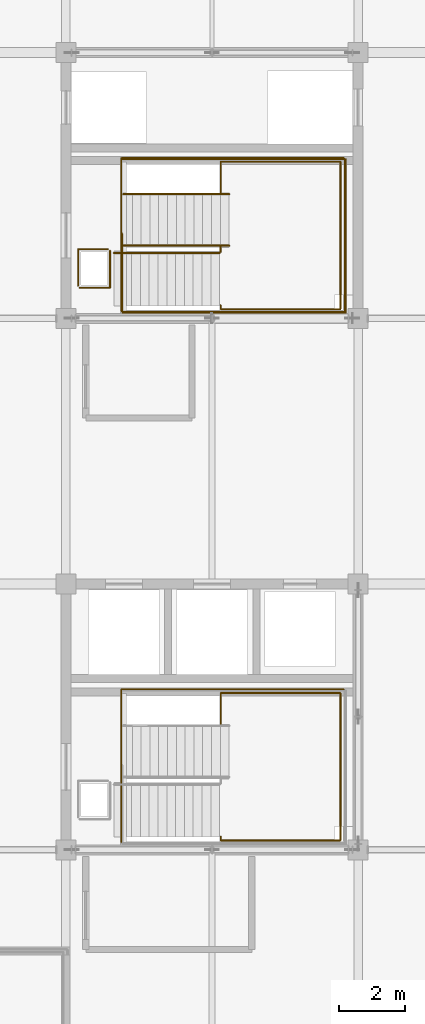
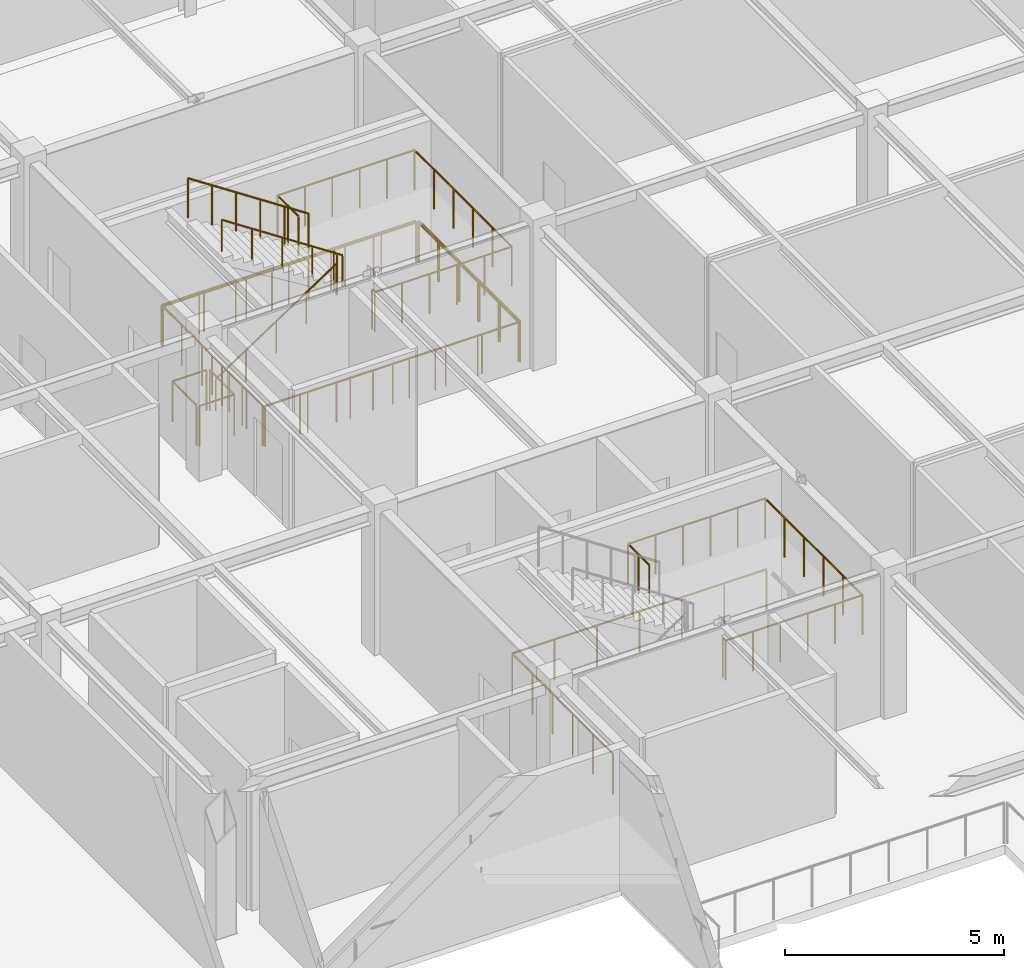
# One storey, part 85 of 88: 12 railings.
"""IFC4 building model written with IfcOpenShell, lengths in metres."""

from ifc_helpers import new_model, si_unit, direction, frame, origin, origin_2d, place, context, subcontext, project, spatial, circle, extrude, material, type_object, element, save


model = new_model("IFC4")

# Units and contexts
model_context = context("Model", 3, precision=1e-05, world=origin(), true_north=direction((0.0, 1.0)))
body_context = subcontext(model_context, "Body", "Model", "MODEL_VIEW")
ifc_project = project(units=[si_unit("LENGTHUNIT", "METRE"), si_unit("AREAUNIT", "SQUARE_METRE"), si_unit("VOLUMEUNIT", "CUBIC_METRE"), si_unit("PLANEANGLEUNIT", "RADIAN"), si_unit("MASSUNIT", "GRAM", prefix="KILO")], contexts=[model_context])

# Site, building, storey
site_placement = place(None, origin())
site = spatial("IfcSite", under=ifc_project, at=site_placement, CompositionType="ELEMENT")
building_placement = place(site_placement, origin())
building = spatial("IfcBuilding", under=site, at=building_placement, Name="Zhaolan Boulevard Law Courts", CompositionType="ELEMENT")
storey_placement = place(building_placement, frame((0.0, 0.0, 16.199951171875)))
storey = spatial("IfcBuildingStorey", under=building, at=storey_placement, Name="L03", CompositionType="ELEMENT", Elevation=16.199951171875)

# Railings
ifc_material_1 = material(Name="Powder-coated steel and tempered laminated glass", Category="steel")
railing_type_1 = type_object("IfcRailingType", Name="INTERIOR GUARDRAIL 1150", PredefinedType="GUARDRAIL", material=ifc_material_1)
railing_1_placement = place(storey_placement, frame((25.969970703125, 50.830078125, 0.0)))
element("IfcRailing", 1, at=railing_1_placement, inside=storey, type_object=railing_type_1, Name="Atrium Gallery Guardrail VG-3-V5-6B", PredefinedType="GUARDRAIL", context=body_context, shape_type="SweptSolid", body=[
    extrude(circle(Radius=0.02490234375, at=origin_2d()), frame((0.0, 0.0, 1.125), z_axis=(-1.0, 0.0, 0.0), x_axis=(0.0, -1.0, 0.0)), (0.0, 0.0, 1.0), 6.699951171875),
    extrude(circle(Radius=0.02490234375, at=origin_2d()), frame((-6.699951171875, 0.0, 1.125), z_axis=(0.0, -1.0, 0.0), x_axis=(1.0, 0.0, 0.0)), (0.0, 0.0, 1.0), 4.60009765625),
    extrude(circle(Radius=0.02099609375, at=origin_2d()), origin(), (0.0, 0.0, 1.0), 1.099853515625),
    extrude(circle(Radius=0.02099609375, at=origin_2d()), frame((-1.11669921875, 0.0, 0.0)), (0.0, 0.0, 1.0), 1.099853515625),
    extrude(circle(Radius=0.02099609375, at=origin_2d()), frame((-2.2333984375, 0.0, 0.0)), (0.0, 0.0, 1.0), 1.099853515625),
    extrude(circle(Radius=0.02099609375, at=origin_2d()), frame((-3.35009765625, 0.0, 0.0)), (0.0, 0.0, 1.0), 1.099853515625),
    extrude(circle(Radius=0.02099609375, at=origin_2d()), frame((-4.466552734375, 0.0, 0.0)), (0.0, 0.0, 1.0), 1.099853515625),
    extrude(circle(Radius=0.02099609375, at=origin_2d()), frame((-5.583251953125, 0.0, 0.0)), (0.0, 0.0, 1.0), 1.099853515625),
    extrude(circle(Radius=0.02099609375, at=origin_2d()), frame((-6.699951171875, 0.0, 0.0)), (0.0, 0.0, 1.0), 1.099853515625),
    extrude(circle(Radius=0.02099609375, at=origin_2d()), frame((-6.699951171875, -0.919921875, 0.0)), (0.0, 0.0, 1.0), 1.099853515625),
    extrude(circle(Radius=0.02099609375, at=origin_2d()), frame((-6.699951171875, -1.840087890625, 0.0)), (0.0, 0.0, 1.0), 1.099853515625),
    extrude(circle(Radius=0.02099609375, at=origin_2d()), frame((-6.699951171875, -2.760009765625, 0.0)), (0.0, 0.0, 1.0), 1.099853515625),
    extrude(circle(Radius=0.02099609375, at=origin_2d()), frame((-6.699951171875, -3.68017578125, 0.0)), (0.0, 0.0, 1.0), 1.099853515625),
    extrude(circle(Radius=0.02099609375, at=origin_2d()), frame((-6.699951171875, -4.60009765625, 0.0)), (0.0, 0.0, 1.0), 1.099853515625),
])
railing_2_placement = place(storey_placement, frame((19.31005859375, 62.169921875, 0.0)))
element("IfcRailing", 2, at=railing_2_placement, inside=storey, type_object=railing_type_1, Name="Atrium Gallery Guardrail VG-3-V5-7A", PredefinedType="GUARDRAIL", context=body_context, shape_type="SweptSolid", body=[
    extrude(circle(Radius=0.02490234375, at=origin_2d()), frame((0.0, 0.0, 1.125), z_axis=(1.0, 0.0, 0.0), x_axis=(0.0, 1.0, 0.0)), (0.0, 0.0, 1.0), 6.719970703125),
    extrude(circle(Radius=0.02490234375, at=origin_2d()), frame((6.719970703125, 0.0, 1.125), z_axis=(0.0, 1.0, 0.0), x_axis=(-1.0, 0.0, 0.0)), (0.0, 0.0, 1.0), 4.6201171875),
    extrude(circle(Radius=0.02099609375, at=origin_2d()), origin(), (0.0, 0.0, 1.0), 1.099853515625),
    extrude(circle(Radius=0.02099609375, at=origin_2d()), frame((1.1201171875, 0.0, 0.0)), (0.0, 0.0, 1.0), 1.099853515625),
    extrude(circle(Radius=0.02099609375, at=origin_2d()), frame((2.239990234375, 0.0, 0.0)), (0.0, 0.0, 1.0), 1.099853515625),
    extrude(circle(Radius=0.02099609375, at=origin_2d()), frame((3.35986328125, 0.0, 0.0)), (0.0, 0.0, 1.0), 1.099853515625),
    extrude(circle(Radius=0.02099609375, at=origin_2d()), frame((4.47998046875, 0.0, 0.0)), (0.0, 0.0, 1.0), 1.099853515625),
    extrude(circle(Radius=0.02099609375, at=origin_2d()), frame((5.60009765625, 0.0, 0.0)), (0.0, 0.0, 1.0), 1.099853515625),
    extrude(circle(Radius=0.02099609375, at=origin_2d()), frame((6.719970703125, 0.0, 0.0)), (0.0, 0.0, 1.0), 1.099853515625),
    extrude(circle(Radius=0.02099609375, at=origin_2d()), frame((6.719970703125, 0.924072265625, 0.0)), (0.0, 0.0, 1.0), 1.099853515625),
    extrude(circle(Radius=0.02099609375, at=origin_2d()), frame((6.719970703125, 1.84814453125, 0.0)), (0.0, 0.0, 1.0), 1.099853515625),
    extrude(circle(Radius=0.02099609375, at=origin_2d()), frame((6.719970703125, 2.77197265625, 0.0)), (0.0, 0.0, 1.0), 1.099853515625),
    extrude(circle(Radius=0.02099609375, at=origin_2d()), frame((6.719970703125, 3.696044921875, 0.0)), (0.0, 0.0, 1.0), 1.099853515625),
    extrude(circle(Radius=0.02099609375, at=origin_2d()), frame((6.719970703125, 4.6201171875, 0.0)), (0.0, 0.0, 1.0), 1.099853515625),
])
railing_3_placement = place(storey_placement, frame((25.969970703125, 66.830078125, 0.0)))
element("IfcRailing", 3, at=railing_3_placement, inside=storey, type_object=railing_type_1, Name="Atrium Gallery Guardrail VG-3-V5-7B", PredefinedType="GUARDRAIL", context=body_context, shape_type="SweptSolid", body=[
    extrude(circle(Radius=0.02490234375, at=origin_2d()), frame((0.0, 0.0, 1.125), z_axis=(-1.0, 0.0, 0.0), x_axis=(0.0, -1.0, 0.0)), (0.0, 0.0, 1.0), 6.699951171875),
    extrude(circle(Radius=0.02490234375, at=origin_2d()), frame((-6.699951171875, 0.0, 1.125), z_axis=(0.0, -1.0, 0.0), x_axis=(1.0, 0.0, 0.0)), (0.0, 0.0, 1.0), 4.60009765625),
    extrude(circle(Radius=0.02099609375, at=origin_2d()), origin(), (0.0, 0.0, 1.0), 1.099853515625),
    extrude(circle(Radius=0.02099609375, at=origin_2d()), frame((-1.11669921875, 0.0, 0.0)), (0.0, 0.0, 1.0), 1.099853515625),
    extrude(circle(Radius=0.02099609375, at=origin_2d()), frame((-2.2333984375, 0.0, 0.0)), (0.0, 0.0, 1.0), 1.099853515625),
    extrude(circle(Radius=0.02099609375, at=origin_2d()), frame((-3.35009765625, 0.0, 0.0)), (0.0, 0.0, 1.0), 1.099853515625),
    extrude(circle(Radius=0.02099609375, at=origin_2d()), frame((-4.466552734375, 0.0, 0.0)), (0.0, 0.0, 1.0), 1.099853515625),
    extrude(circle(Radius=0.02099609375, at=origin_2d()), frame((-5.583251953125, 0.0, 0.0)), (0.0, 0.0, 1.0), 1.099853515625),
    extrude(circle(Radius=0.02099609375, at=origin_2d()), frame((-6.699951171875, 0.0, 0.0)), (0.0, 0.0, 1.0), 1.099853515625),
    extrude(circle(Radius=0.02099609375, at=origin_2d()), frame((-6.699951171875, -0.919921875, 0.0)), (0.0, 0.0, 1.0), 1.099853515625),
    extrude(circle(Radius=0.02099609375, at=origin_2d()), frame((-6.699951171875, -1.840087890625, 0.0)), (0.0, 0.0, 1.0), 1.099853515625),
    extrude(circle(Radius=0.02099609375, at=origin_2d()), frame((-6.699951171875, -2.760009765625, 0.0)), (0.0, 0.0, 1.0), 1.099853515625),
    extrude(circle(Radius=0.02099609375, at=origin_2d()), frame((-6.699951171875, -3.68017578125, 0.0)), (0.0, 0.0, 1.0), 1.099853515625),
    extrude(circle(Radius=0.02099609375, at=origin_2d()), frame((-6.699951171875, -4.60009765625, 0.0)), (0.0, 0.0, 1.0), 1.099853515625),
])
railing_4_placement = place(storey_placement, frame((18.010009765625, 62.919921875, 0.0)))
element("IfcRailing", 4, at=railing_4_placement, inside=storey, type_object=railing_type_1, Name="Atrium Gallery Guardrail VG-3-V5-10A", PredefinedType="GUARDRAIL", context=body_context, shape_type="SweptSolid", body=[
    extrude(circle(Radius=0.02490234375, at=origin_2d()), frame((0.0, 0.0, 1.125), z_axis=(1.0, 0.0, 0.0), x_axis=(0.0, 1.0, 0.0)), (0.0, 0.0, 1.0), 0.919921875),
    extrude(circle(Radius=0.02490234375, at=origin_2d()), frame((0.919921875, 0.0, 1.125), z_axis=(0.0, 1.0, 0.0), x_axis=(-1.0, 0.0, 0.0)), (0.0, 0.0, 1.0), 1.1201171875),
    extrude(circle(Radius=0.02099609375, at=origin_2d()), origin(), (0.0, 0.0, 1.0), 1.099853515625),
    extrude(circle(Radius=0.02099609375, at=origin_2d()), frame((0.919921875, 0.0, 0.0)), (0.0, 0.0, 1.0), 1.099853515625),
    extrude(circle(Radius=0.02099609375, at=origin_2d()), frame((0.919921875, 1.1201171875, 0.0)), (0.0, 0.0, 1.0), 1.099853515625),
])
railing_5_placement = place(storey_placement, frame((18.8701171875, 64.080078125, 0.0)))
element("IfcRailing", 5, at=railing_5_placement, inside=storey, type_object=railing_type_1, Name="Atrium Gallery Guardrail VG-3-V5-10B", PredefinedType="GUARDRAIL", context=body_context, shape_type="SweptSolid", body=[
    extrude(circle(Radius=0.02490234375, at=origin_2d()), frame((0.0, 0.0, 1.125), z_axis=(-1.0, 0.0, 0.0), x_axis=(0.0, -1.0, 0.0)), (0.0, 0.0, 1.0), 0.900146484375),
    extrude(circle(Radius=0.02490234375, at=origin_2d()), frame((-0.900146484375, 0.0, 1.125), z_axis=(0.0, -1.0, 0.0), x_axis=(1.0, 0.0, 0.0)), (0.0, 0.0, 1.0), 1.10009765625),
    extrude(circle(Radius=0.02099609375, at=origin_2d()), origin(), (0.0, 0.0, 1.0), 1.099853515625),
    extrude(circle(Radius=0.02099609375, at=origin_2d()), frame((-0.900146484375, 0.0, 0.0)), (0.0, 0.0, 1.0), 1.099853515625),
    extrude(circle(Radius=0.02099609375, at=origin_2d()), frame((-0.900146484375, -1.10009765625, 0.0)), (0.0, 0.0, 1.0), 1.099853515625),
])
ifc_material_2 = material(Name="Brushed stainless steel tubular handrail", Category="steel")
railing_type_2 = type_object("IfcRailingType", Name="STAIR HANDRAIL 900", PredefinedType="HANDRAIL", material=ifc_material_2)
railing_6_placement = place(storey_placement, frame((19.050048828125, 63.969970703125, 0.0)))
element("IfcRailing", 6, at=railing_6_placement, inside=storey, type_object=railing_type_2, Name="Stair Handrail HR-ST02-L03-1", PredefinedType="HANDRAIL", context=body_context, shape_type="SweptSolid", body=[
    extrude(circle(Radius=0.0224609375, at=origin_2d()), frame((0.0, 0.0, 0.87744140625), z_axis=(0.834447378162, 0.0, 0.551087627405), x_axis=(0.0, 1.0, 0.0)), (0.0, 0.0, 1.0), 3.810791015625),
    extrude(circle(Radius=0.01904296875, at=origin_2d()), origin(), (0.0, 0.0, 1.0), 0.85498046875),
    extrude(circle(Radius=0.01904296875, at=origin_2d()), frame((0.794921875, 0.0, 0.52490234375)), (0.0, 0.0, 1.0), 0.85498046875),
    extrude(circle(Radius=0.01904296875, at=origin_2d()), frame((1.58984375, 0.0, 1.050048828125)), (0.0, 0.0, 1.0), 0.85498046875),
    extrude(circle(Radius=0.01904296875, at=origin_2d()), frame((2.385009765625, 0.0, 1.5751953125)), (0.0, 0.0, 1.0), 0.85498046875),
    extrude(circle(Radius=0.01904296875, at=origin_2d()), frame((3.179931640625, 0.0, 2.10009765625)), (0.0, 0.0, 1.0), 0.85498046875),
])
railing_7_placement = place(storey_placement, frame((22.514892578125, 64.18994140625, 2.10009765625)))
element("IfcRailing", 7, at=railing_7_placement, inside=storey, type_object=railing_type_2, Name="Stair Handrail HR-ST02-L03-2", PredefinedType="HANDRAIL", context=body_context, shape_type="SweptSolid", body=[
    extrude(circle(Radius=0.0224609375, at=origin_2d()), frame((0.0, 0.0, 0.87744140625), z_axis=(-0.834476838559, 0.0, 0.551043016387), x_axis=(0.0, -1.0, 0.0)), (0.0, 0.0, 1.0), 3.810791015625),
    extrude(circle(Radius=0.01904296875, at=origin_2d()), origin(), (0.0, 0.0, 1.0), 0.85498046875),
    extrude(circle(Radius=0.01904296875, at=origin_2d()), frame((-0.794921875, 0.0, 0.52490234375)), (0.0, 0.0, 1.0), 0.85498046875),
    extrude(circle(Radius=0.01904296875, at=origin_2d()), frame((-1.58984375, 0.0, 1.0498046875)), (0.0, 0.0, 1.0), 0.85498046875),
    extrude(circle(Radius=0.01904296875, at=origin_2d()), frame((-2.385009765625, 0.0, 1.574951171875)), (0.0, 0.0, 1.0), 0.85498046875),
    extrude(circle(Radius=0.01904296875, at=origin_2d()), frame((-3.179931640625, 0.0, 2.099853515625)), (0.0, 0.0, 1.0), 0.85498046875),
])
ifc_material_3 = material(Name="Powder-coated steel baluster guardrail", Category="steel")
railing_type_3 = type_object("IfcRailingType", Name="STAIR WELL GUARDRAIL 1120", PredefinedType="GUARDRAIL", material=ifc_material_3)
railing_8_placement = place(storey_placement, frame((22.260009765625, 46.39990234375, 2.10009765625)))
element("IfcRailing", 8, at=railing_8_placement, inside=storey, type_object=railing_type_3, Name="Half-Landing Guardrail SG-ST01-L03-M", PredefinedType="GUARDRAIL", context=body_context, shape_type="SweptSolid", body=[
    extrude(circle(Radius=0.02392578125, at=origin_2d()), frame((0.0, 0.0, 1.09619140625), z_axis=(0.0, -1.0, 0.0), x_axis=(1.0, 0.0, 0.0)), (0.0, 0.0, 1.0), 0.119873046875),
    extrude(circle(Radius=0.02392578125, at=origin_2d()), frame((0.0, -0.119873046875, 1.09619140625), z_axis=(1.0, 0.0, 0.0), x_axis=(0.0, 1.0, 0.0)), (0.0, 0.0, 1.0), 3.610107421875),
    extrude(circle(Radius=0.02392578125, at=origin_2d()), frame((3.610107421875, -0.119873046875, 1.09619140625), z_axis=(0.0, 1.0, 0.0), x_axis=(-1.0, 0.0, 0.0)), (0.0, 0.0, 1.0), 4.43994140625),
    extrude(circle(Radius=0.02392578125, at=origin_2d()), frame((3.610107421875, 4.320068359375, 1.09619140625), z_axis=(-1.0, 0.0, 0.0), x_axis=(0.0, -1.0, 0.0)), (0.0, 0.0, 1.0), 3.610107421875),
    extrude(circle(Radius=0.02392578125, at=origin_2d()), frame((0.0, 4.320068359375, 1.09619140625), z_axis=(0.0, -1.0, 0.0), x_axis=(1.0, 0.0, 0.0)), (0.0, 0.0, 1.0), 0.9599609375),
    extrude(circle(Radius=0.02099609375, at=origin_2d()), origin(), (0.0, 0.0, 1.0), 1.072021484375),
    extrude(circle(Radius=0.02099609375, at=origin_2d()), frame((0.0, -0.119873046875, 0.0)), (0.0, 0.0, 1.0), 1.072021484375),
    extrude(circle(Radius=0.02099609375, at=origin_2d()), frame((0.721923828125, -0.119873046875, 0.0)), (0.0, 0.0, 1.0), 1.072021484375),
    extrude(circle(Radius=0.02099609375, at=origin_2d()), frame((1.444091796875, -0.119873046875, 0.0)), (0.0, 0.0, 1.0), 1.072021484375),
    extrude(circle(Radius=0.02099609375, at=origin_2d()), frame((2.166015625, -0.119873046875, 0.0)), (0.0, 0.0, 1.0), 1.072021484375),
    extrude(circle(Radius=0.02099609375, at=origin_2d()), frame((2.88818359375, -0.119873046875, 0.0)), (0.0, 0.0, 1.0), 1.072021484375),
    extrude(circle(Radius=0.02099609375, at=origin_2d()), frame((3.610107421875, -0.119873046875, 0.0)), (0.0, 0.0, 1.0), 1.072021484375),
    extrude(circle(Radius=0.02099609375, at=origin_2d()), frame((3.610107421875, 0.76806640625, 0.0)), (0.0, 0.0, 1.0), 1.072021484375),
    extrude(circle(Radius=0.02099609375, at=origin_2d()), frame((3.610107421875, 1.656005859375, 0.0)), (0.0, 0.0, 1.0), 1.072021484375),
    extrude(circle(Radius=0.02099609375, at=origin_2d()), frame((3.610107421875, 2.544189453125, 0.0)), (0.0, 0.0, 1.0), 1.072021484375),
    extrude(circle(Radius=0.02099609375, at=origin_2d()), frame((3.610107421875, 3.43212890625, 0.0)), (0.0, 0.0, 1.0), 1.072021484375),
    extrude(circle(Radius=0.02099609375, at=origin_2d()), frame((3.610107421875, 4.320068359375, 0.0)), (0.0, 0.0, 1.0), 1.072021484375),
    extrude(circle(Radius=0.02099609375, at=origin_2d()), frame((2.88818359375, 4.320068359375, 0.0)), (0.0, 0.0, 1.0), 1.072021484375),
    extrude(circle(Radius=0.02099609375, at=origin_2d()), frame((2.166015625, 4.320068359375, 0.0)), (0.0, 0.0, 1.0), 1.072021484375),
    extrude(circle(Radius=0.02099609375, at=origin_2d()), frame((1.444091796875, 4.320068359375, 0.0)), (0.0, 0.0, 1.0), 1.072021484375),
    extrude(circle(Radius=0.02099609375, at=origin_2d()), frame((0.721923828125, 4.320068359375, 0.0)), (0.0, 0.0, 1.0), 1.072021484375),
    extrude(circle(Radius=0.02099609375, at=origin_2d()), frame((0.0, 4.320068359375, 0.0)), (0.0, 0.0, 1.0), 1.072021484375),
    extrude(circle(Radius=0.02099609375, at=origin_2d()), frame((0.0, 3.840087890625, 0.0)), (0.0, 0.0, 1.0), 1.072021484375),
    extrude(circle(Radius=0.02099609375, at=origin_2d()), frame((0.0, 3.360107421875, 0.0)), (0.0, 0.0, 1.0), 1.072021484375),
])
railing_9_placement = place(storey_placement, frame((19.2900390625, 64.56005859375, 0.0)))
element("IfcRailing", 9, at=railing_9_placement, inside=storey, type_object=railing_type_3, Name="Stair-Well Floor Guardrail WG-ST02-L02", PredefinedType="GUARDRAIL", context=body_context, shape_type="SweptSolid", body=[
    extrude(circle(Radius=0.02392578125, at=origin_2d()), frame((0.0, 0.0, 1.09619140625), z_axis=(0.0, -1.0, 0.0), x_axis=(1.0, 0.0, 0.0)), (0.0, 0.0, 1.0), 2.360107421875),
    extrude(circle(Radius=0.02392578125, at=origin_2d()), frame((0.0, -2.360107421875, 1.09619140625), z_axis=(1.0, 0.0, 0.0), x_axis=(0.0, 1.0, 0.0)), (0.0, 0.0, 1.0), 6.7099609375),
    extrude(circle(Radius=0.02392578125, at=origin_2d()), frame((6.7099609375, -2.360107421875, 1.09619140625), z_axis=(0.0, 1.0, 0.0), x_axis=(-1.0, 0.0, 0.0)), (0.0, 0.0, 1.0), 4.60009765625),
    extrude(circle(Radius=0.02392578125, at=origin_2d()), frame((6.7099609375, 2.239990234375, 1.09619140625), z_axis=(-1.0, 0.0, 0.0), x_axis=(0.0, -1.0, 0.0)), (0.0, 0.0, 1.0), 6.7099609375),
    extrude(circle(Radius=0.02392578125, at=origin_2d()), frame((0.0, 2.239990234375, 1.09619140625), z_axis=(0.0, 1.0, 0.0), x_axis=(-1.0, 0.0, 0.0)), (0.0, 0.0, 1.0), 0.02001953125),
    extrude(circle(Radius=0.02099609375, at=origin_2d()), origin(), (0.0, 0.0, 1.0), 1.072021484375),
    extrude(circle(Radius=0.02099609375, at=origin_2d()), frame((0.0, -0.78662109375, 0.0)), (0.0, 0.0, 1.0), 1.072021484375),
    extrude(circle(Radius=0.02099609375, at=origin_2d()), frame((0.0, -1.573486328125, 0.0)), (0.0, 0.0, 1.0), 1.072021484375),
    extrude(circle(Radius=0.02099609375, at=origin_2d()), frame((0.0, -2.360107421875, 0.0)), (0.0, 0.0, 1.0), 1.072021484375),
    extrude(circle(Radius=0.02099609375, at=origin_2d()), frame((0.95849609375, -2.360107421875, 0.0)), (0.0, 0.0, 1.0), 1.072021484375),
    extrude(circle(Radius=0.02099609375, at=origin_2d()), frame((1.917236328125, -2.360107421875, 0.0)), (0.0, 0.0, 1.0), 1.072021484375),
    extrude(circle(Radius=0.02099609375, at=origin_2d()), frame((2.875732421875, -2.360107421875, 0.0)), (0.0, 0.0, 1.0), 1.072021484375),
    extrude(circle(Radius=0.02099609375, at=origin_2d()), frame((3.834228515625, -2.360107421875, 0.0)), (0.0, 0.0, 1.0), 1.072021484375),
    extrude(circle(Radius=0.02099609375, at=origin_2d()), frame((4.792724609375, -2.360107421875, 0.0)), (0.0, 0.0, 1.0), 1.072021484375),
    extrude(circle(Radius=0.02099609375, at=origin_2d()), frame((5.75146484375, -2.360107421875, 0.0)), (0.0, 0.0, 1.0), 1.072021484375),
    extrude(circle(Radius=0.02099609375, at=origin_2d()), frame((6.7099609375, -2.360107421875, 0.0)), (0.0, 0.0, 1.0), 1.072021484375),
    extrude(circle(Radius=0.02099609375, at=origin_2d()), frame((6.7099609375, -1.440185546875, 0.0)), (0.0, 0.0, 1.0), 1.072021484375),
    extrude(circle(Radius=0.02099609375, at=origin_2d()), frame((6.7099609375, -0.52001953125, 0.0)), (0.0, 0.0, 1.0), 1.072021484375),
    extrude(circle(Radius=0.02099609375, at=origin_2d()), frame((6.7099609375, 0.39990234375, 0.0)), (0.0, 0.0, 1.0), 1.072021484375),
    extrude(circle(Radius=0.02099609375, at=origin_2d()), frame((6.7099609375, 1.320068359375, 0.0)), (0.0, 0.0, 1.0), 1.072021484375),
    extrude(circle(Radius=0.02099609375, at=origin_2d()), frame((6.7099609375, 2.239990234375, 0.0)), (0.0, 0.0, 1.0), 1.072021484375),
    extrude(circle(Radius=0.02099609375, at=origin_2d()), frame((5.75146484375, 2.239990234375, 0.0)), (0.0, 0.0, 1.0), 1.072021484375),
    extrude(circle(Radius=0.02099609375, at=origin_2d()), frame((4.792724609375, 2.239990234375, 0.0)), (0.0, 0.0, 1.0), 1.072021484375),
    extrude(circle(Radius=0.02099609375, at=origin_2d()), frame((3.834228515625, 2.239990234375, 0.0)), (0.0, 0.0, 1.0), 1.072021484375),
    extrude(circle(Radius=0.02099609375, at=origin_2d()), frame((2.875732421875, 2.239990234375, 0.0)), (0.0, 0.0, 1.0), 1.072021484375),
    extrude(circle(Radius=0.02099609375, at=origin_2d()), frame((1.917236328125, 2.239990234375, 0.0)), (0.0, 0.0, 1.0), 1.072021484375),
    extrude(circle(Radius=0.02099609375, at=origin_2d()), frame((0.95849609375, 2.239990234375, 0.0)), (0.0, 0.0, 1.0), 1.072021484375),
    extrude(circle(Radius=0.02099609375, at=origin_2d()), frame((0.0, 2.239990234375, 0.0)), (0.0, 0.0, 1.0), 1.072021484375),
    extrude(circle(Radius=0.02099609375, at=origin_2d()), frame((0.0, 2.260009765625, 0.0)), (0.0, 0.0, 1.0), 1.072021484375),
])
railing_10_placement = place(storey_placement, frame((22.260009765625, 62.39990234375, 2.10009765625)))
element("IfcRailing", 10, at=railing_10_placement, inside=storey, type_object=railing_type_3, Name="Half-Landing Guardrail SG-ST02-L03-M", PredefinedType="GUARDRAIL", context=body_context, shape_type="SweptSolid", body=[
    extrude(circle(Radius=0.02392578125, at=origin_2d()), frame((0.0, 0.0, 1.09619140625), z_axis=(0.0, -1.0, 0.0), x_axis=(1.0, 0.0, 0.0)), (0.0, 0.0, 1.0), 0.119873046875),
    extrude(circle(Radius=0.02392578125, at=origin_2d()), frame((0.0, -0.119873046875, 1.09619140625), z_axis=(1.0, 0.0, 0.0), x_axis=(0.0, 1.0, 0.0)), (0.0, 0.0, 1.0), 3.610107421875),
    extrude(circle(Radius=0.02392578125, at=origin_2d()), frame((3.610107421875, -0.119873046875, 1.09619140625), z_axis=(0.0, 1.0, 0.0), x_axis=(-1.0, 0.0, 0.0)), (0.0, 0.0, 1.0), 4.43994140625),
    extrude(circle(Radius=0.02392578125, at=origin_2d()), frame((3.610107421875, 4.320068359375, 1.09619140625), z_axis=(-1.0, 0.0, 0.0), x_axis=(0.0, -1.0, 0.0)), (0.0, 0.0, 1.0), 3.610107421875),
    extrude(circle(Radius=0.02392578125, at=origin_2d()), frame((0.0, 4.320068359375, 1.09619140625), z_axis=(0.0, -1.0, 0.0), x_axis=(1.0, 0.0, 0.0)), (0.0, 0.0, 1.0), 0.9599609375),
    extrude(circle(Radius=0.02099609375, at=origin_2d()), origin(), (0.0, 0.0, 1.0), 1.072021484375),
    extrude(circle(Radius=0.02099609375, at=origin_2d()), frame((0.0, -0.119873046875, 0.0)), (0.0, 0.0, 1.0), 1.072021484375),
    extrude(circle(Radius=0.02099609375, at=origin_2d()), frame((0.721923828125, -0.119873046875, 0.0)), (0.0, 0.0, 1.0), 1.072021484375),
    extrude(circle(Radius=0.02099609375, at=origin_2d()), frame((1.444091796875, -0.119873046875, 0.0)), (0.0, 0.0, 1.0), 1.072021484375),
    extrude(circle(Radius=0.02099609375, at=origin_2d()), frame((2.166015625, -0.119873046875, 0.0)), (0.0, 0.0, 1.0), 1.072021484375),
    extrude(circle(Radius=0.02099609375, at=origin_2d()), frame((2.88818359375, -0.119873046875, 0.0)), (0.0, 0.0, 1.0), 1.072021484375),
    extrude(circle(Radius=0.02099609375, at=origin_2d()), frame((3.610107421875, -0.119873046875, 0.0)), (0.0, 0.0, 1.0), 1.072021484375),
    extrude(circle(Radius=0.02099609375, at=origin_2d()), frame((3.610107421875, 0.76806640625, 0.0)), (0.0, 0.0, 1.0), 1.072021484375),
    extrude(circle(Radius=0.02099609375, at=origin_2d()), frame((3.610107421875, 1.656005859375, 0.0)), (0.0, 0.0, 1.0), 1.072021484375),
    extrude(circle(Radius=0.02099609375, at=origin_2d()), frame((3.610107421875, 2.544189453125, 0.0)), (0.0, 0.0, 1.0), 1.072021484375),
    extrude(circle(Radius=0.02099609375, at=origin_2d()), frame((3.610107421875, 3.43212890625, 0.0)), (0.0, 0.0, 1.0), 1.072021484375),
    extrude(circle(Radius=0.02099609375, at=origin_2d()), frame((3.610107421875, 4.320068359375, 0.0)), (0.0, 0.0, 1.0), 1.072021484375),
    extrude(circle(Radius=0.02099609375, at=origin_2d()), frame((2.88818359375, 4.320068359375, 0.0)), (0.0, 0.0, 1.0), 1.072021484375),
    extrude(circle(Radius=0.02099609375, at=origin_2d()), frame((2.166015625, 4.320068359375, 0.0)), (0.0, 0.0, 1.0), 1.072021484375),
    extrude(circle(Radius=0.02099609375, at=origin_2d()), frame((1.444091796875, 4.320068359375, 0.0)), (0.0, 0.0, 1.0), 1.072021484375),
    extrude(circle(Radius=0.02099609375, at=origin_2d()), frame((0.721923828125, 4.320068359375, 0.0)), (0.0, 0.0, 1.0), 1.072021484375),
    extrude(circle(Radius=0.02099609375, at=origin_2d()), frame((0.0, 4.320068359375, 0.0)), (0.0, 0.0, 1.0), 1.072021484375),
    extrude(circle(Radius=0.02099609375, at=origin_2d()), frame((0.0, 3.840087890625, 0.0)), (0.0, 0.0, 1.0), 1.072021484375),
    extrude(circle(Radius=0.02099609375, at=origin_2d()), frame((0.0, 3.360107421875, 0.0)), (0.0, 0.0, 1.0), 1.072021484375),
])
railing_11_placement = place(storey_placement, frame((22.260009765625, 64.010009765625, 2.10009765625)))
element("IfcRailing", 11, at=railing_11_placement, inside=storey, type_object=railing_type_3, Name="Half-Landing Well Guardrail SG-ST02-L03-W", PredefinedType="GUARDRAIL", context=body_context, shape_type="SweptSolid", body=[
    extrude(circle(Radius=0.02392578125, at=origin_2d()), frame((0.0, 0.0, 1.09619140625), z_axis=(0.0, 1.0, 0.0), x_axis=(-1.0, 0.0, 0.0)), (0.0, 0.0, 1.0), 0.139892578125),
    extrude(circle(Radius=0.02099609375, at=origin_2d()), origin(), (0.0, 0.0, 1.0), 1.072021484375),
    extrude(circle(Radius=0.02099609375, at=origin_2d()), frame((0.0, 0.139892578125, 0.0)), (0.0, 0.0, 1.0), 1.072021484375),
])
railing_12_placement = place(storey_placement, frame((22.514892578125, 65.739990234375, 2.10009765625)))
element("IfcRailing", 12, at=railing_12_placement, inside=storey, type_object=railing_type_3, Name="Flight Guardrail SG-ST02-L03-F2", PredefinedType="GUARDRAIL", context=body_context, shape_type="SweptSolid", body=[
    extrude(circle(Radius=0.02392578125, at=origin_2d()), frame((0.0, 0.0, 1.09619140625), z_axis=(-0.834476838559, 0.0, 0.551043016387), x_axis=(0.0, -1.0, 0.0)), (0.0, 0.0, 1.0), 3.810791015625),
    extrude(circle(Radius=0.02099609375, at=origin_2d()), origin(), (0.0, 0.0, 1.0), 1.072021484375),
    extrude(circle(Radius=0.02099609375, at=origin_2d()), frame((-0.635986328125, 0.0, 0.419921875)), (0.0, 0.0, 1.0), 1.072021484375),
    extrude(circle(Radius=0.02099609375, at=origin_2d()), frame((-1.27197265625, 0.0, 0.83984375)), (0.0, 0.0, 1.0), 1.072021484375),
    extrude(circle(Radius=0.02099609375, at=origin_2d()), frame((-1.907958984375, 0.0, 1.260009765625)), (0.0, 0.0, 1.0), 1.072021484375),
    extrude(circle(Radius=0.02099609375, at=origin_2d()), frame((-2.5439453125, 0.0, 1.679931640625)), (0.0, 0.0, 1.0), 1.072021484375),
    extrude(circle(Radius=0.02099609375, at=origin_2d()), frame((-3.179931640625, 0.0, 2.099853515625)), (0.0, 0.0, 1.0), 1.072021484375),
])

save(model, "model.ifc")
